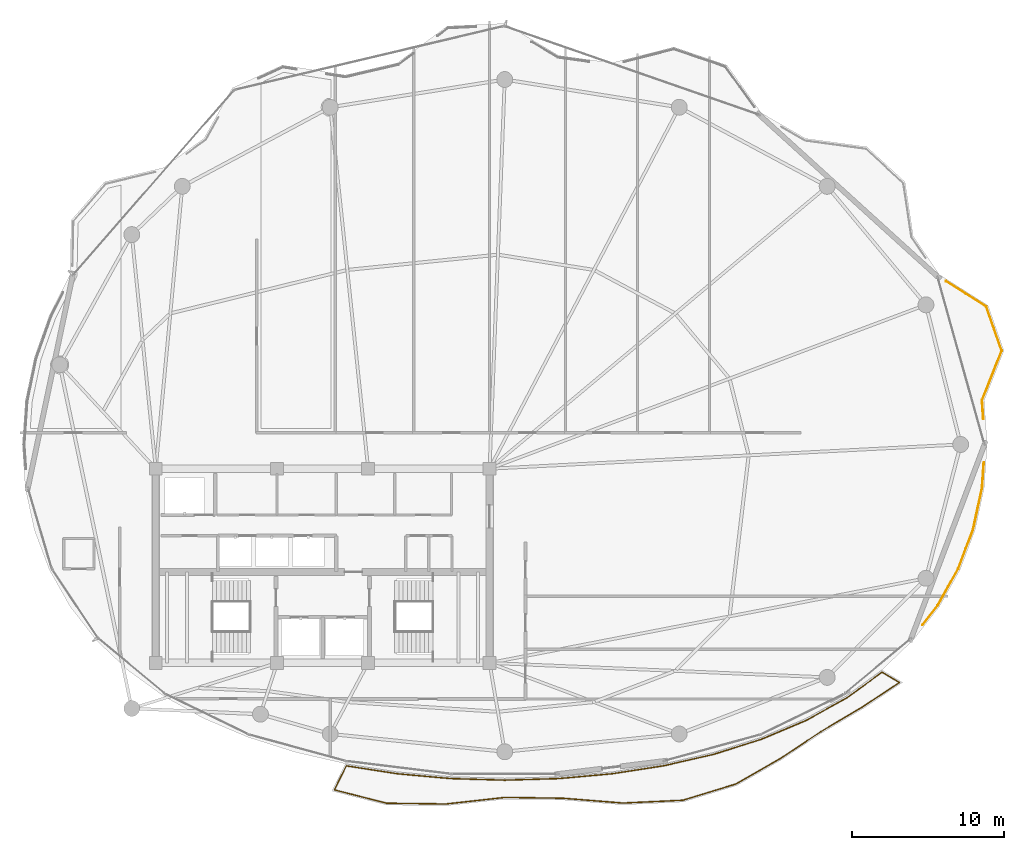
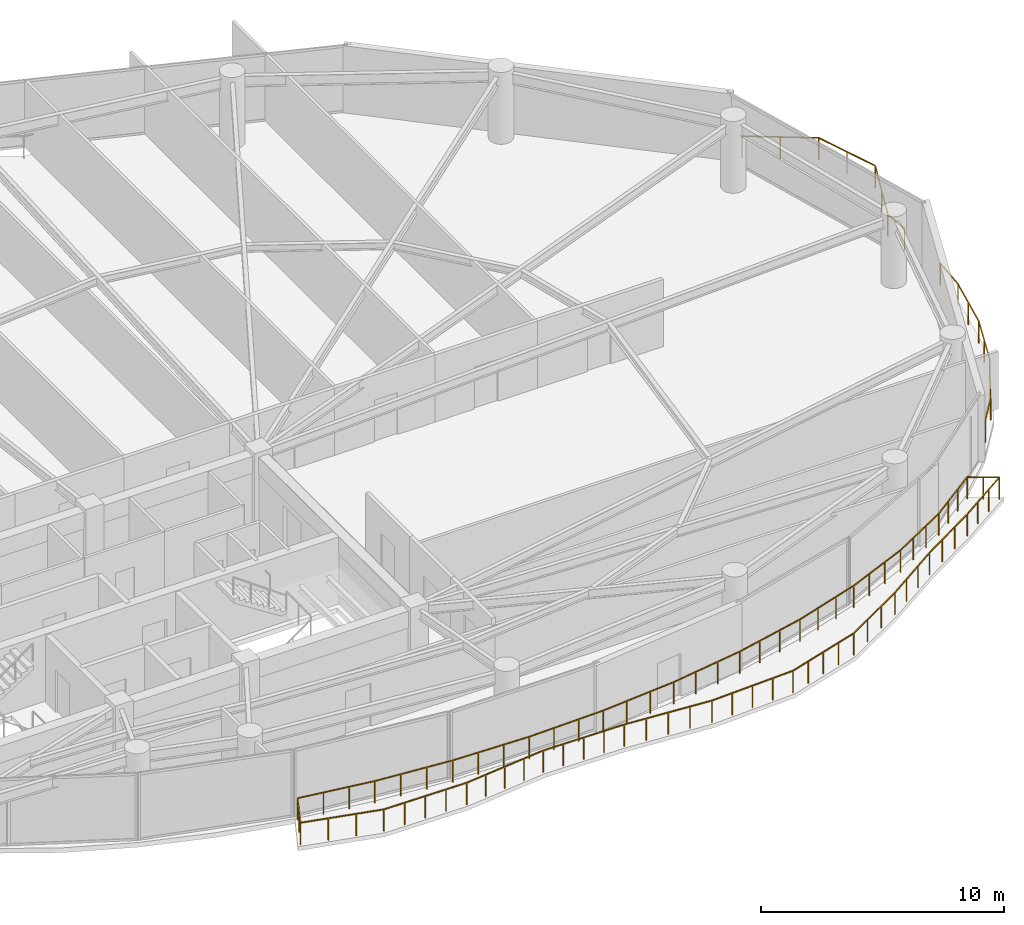
# One storey, part 27 of 28: 3 railings.
"""IFC4 building model written with IfcOpenShell, lengths in metres."""

from ifc_helpers import new_model, si_unit, direction, frame, origin, origin_2d, place, context, subcontext, project, spatial, rectangle, extrude, material, type_object, element, save


model = new_model("IFC4")

# Units and contexts
model_context = context("Model", 3, precision=1e-05, world=origin(), true_north=direction((0.0, 1.0)))
body_context = subcontext(model_context, "Body", "Model", "MODEL_VIEW")
ifc_project = project(units=[si_unit("LENGTHUNIT", "METRE"), si_unit("AREAUNIT", "SQUARE_METRE"), si_unit("VOLUMEUNIT", "CUBIC_METRE"), si_unit("PLANEANGLEUNIT", "RADIAN"), si_unit("MASSUNIT", "GRAM", prefix="KILO")], contexts=[model_context])

# Site, building, storey
site_placement = place(None, origin())
site = spatial("IfcSite", under=ifc_project, at=site_placement, CompositionType="ELEMENT")
building_placement = place(site_placement, origin())
building = spatial("IfcBuilding", under=site, at=building_placement, Name="Kazevale Care Tower and Concert Hall", CompositionType="ELEMENT")
storey_placement = place(building_placement, frame((0.0, 0.0, 231.60009765625)))
storey = spatial("IfcBuildingStorey", under=building, at=storey_placement, Name="L61", CompositionType="ELEMENT", Elevation=231.60009765625)

# Railings
ifc_material = material(Name="Anodised Bronze Aluminium and Laminated Glass", Category="aluminium")
railing_type = type_object("IfcRailingType", Name="Balcony and Terrace Balustrade 1120", PredefinedType="BALUSTRADE", material=ifc_material)
railing_1_placement = place(storey_placement, frame((76.576904296875, 36.81103515625, 0.0)))
element("IfcRailing", 1, at=railing_1_placement, inside=storey, type_object=railing_type, Name="rail:L61:perim:10", PredefinedType="BALUSTRADE", context=body_context, shape_type="SweptSolid", body=[
    extrude(rectangle(XDim=0.048095703125, YDim=0.048095703125, at=origin_2d()), frame((0.0, 0.0, 1.09619140625), z_axis=(-0.069683140934, -0.997569175481, 0.0), x_axis=(0.997569175481, -0.069683140934, 0.0)), (0.0, 0.0, 1.0), 1.664306640625),
    extrude(rectangle(XDim=0.048095703125, YDim=0.048095703125, at=origin_2d()), frame((-0.115966796875, -1.66015625, 1.09619140625), z_axis=(-0.210886672564, -0.97751051725, 0.0), x_axis=(0.97751051725, -0.210886672564, 0.0)), (0.0, 0.0, 1.0), 2.81201171875),
    extrude(rectangle(XDim=0.048095703125, YDim=0.048095703125, at=origin_2d()), frame((-0.708984375, -4.408935546875, 1.09619140625), z_axis=(-0.352914941795, -0.935655408715, 0.0), x_axis=(0.935655408715, -0.352914941795, 0.0)), (0.0, 0.0, 1.0), 2.77685546875),
    extrude(rectangle(XDim=0.048095703125, YDim=0.048095703125, at=origin_2d()), frame((-1.68896484375, -7.007080078125, 1.09619140625), z_axis=(-0.490131162051, -0.871648692987, 0.0), x_axis=(0.871648692987, -0.490131162051, 0.0)), (0.0, 0.0, 1.0), 2.762451171875),
    extrude(rectangle(XDim=0.048095703125, YDim=0.048095703125, at=origin_2d()), frame((-3.04296875, -9.4150390625, 1.09619140625), z_axis=(-0.615507243123, -0.788131228707, 0.0), x_axis=(0.788131228707, -0.615507243123, 0.0)), (0.0, 0.0, 1.0), 1.6279296875),
    extrude(rectangle(XDim=0.0419921875, YDim=0.0419921875, at=origin_2d()), origin(), (0.0, 0.0, 1.0), 1.072021484375),
    extrude(rectangle(XDim=0.0419921875, YDim=0.0419921875, at=origin_2d()), frame((-0.115966796875, -1.66015625, 0.0)), (0.0, 0.0, 1.0), 1.072021484375),
    extrude(rectangle(XDim=0.0419921875, YDim=0.0419921875, at=origin_2d()), frame((-0.41259765625, -3.03466796875, 0.0)), (0.0, 0.0, 1.0), 1.072021484375),
    extrude(rectangle(XDim=0.0419921875, YDim=0.0419921875, at=origin_2d()), frame((-0.708984375, -4.408935546875, 0.0)), (0.0, 0.0, 1.0), 1.072021484375),
    extrude(rectangle(XDim=0.0419921875, YDim=0.0419921875, at=origin_2d()), frame((-1.198974609375, -5.7080078125, 0.0)), (0.0, 0.0, 1.0), 1.072021484375),
    extrude(rectangle(XDim=0.0419921875, YDim=0.0419921875, at=origin_2d()), frame((-1.68896484375, -7.007080078125, 0.0)), (0.0, 0.0, 1.0), 1.072021484375),
    extrude(rectangle(XDim=0.0419921875, YDim=0.0419921875, at=origin_2d()), frame((-2.365966796875, -8.2109375, 0.0)), (0.0, 0.0, 1.0), 1.072021484375),
    extrude(rectangle(XDim=0.0419921875, YDim=0.0419921875, at=origin_2d()), frame((-3.04296875, -9.4150390625, 0.0)), (0.0, 0.0, 1.0), 1.072021484375),
    extrude(rectangle(XDim=0.0419921875, YDim=0.0419921875, at=origin_2d()), frame((-4.044921875, -10.697998046875, 0.0)), (0.0, 0.0, 1.0), 1.072021484375),
])
railing_2_placement = place(storey_placement, frame((74.073974609375, 48.760009765625, 0.0)))
element("IfcRailing", 2, at=railing_2_placement, inside=storey, type_object=railing_type, Name="rail:L61:perim:11", PredefinedType="BALUSTRADE", context=body_context, shape_type="SweptSolid", body=[
    extrude(rectangle(XDim=0.048095703125, YDim=0.048095703125, at=origin_2d()), frame((0.0, 0.0, 1.09619140625), z_axis=(0.845028885188, -0.534720659034, 0.0), x_axis=(0.534720659034, 0.845028885188, 0.0)), (0.0, 0.0, 1.0), 3.155029296875),
    extrude(rectangle(XDim=0.048095703125, YDim=0.048095703125, at=origin_2d()), frame((2.666015625, -1.68701171875, 1.09619140625), z_axis=(0.330541862018, -0.943791331521, 0.0), x_axis=(0.943791331521, 0.330541862018, 0.0)), (0.0, 0.0, 1.0), 3.0673828125),
    extrude(rectangle(XDim=0.048095703125, YDim=0.048095703125, at=origin_2d()), frame((3.679931640625, -4.58203125, 1.09619140625), z_axis=(-0.368706440166, -0.929545889658, 0.0), x_axis=(0.929545889658, -0.368706440166, 0.0)), (0.0, 0.0, 1.0), 3.5146484375),
    extrude(rectangle(XDim=0.048095703125, YDim=0.048095703125, at=origin_2d()), frame((2.384033203125, -7.84912109375, 1.09619140625), z_axis=(0.069088253147, -0.997610551907, 0.0), x_axis=(0.997610551907, 0.069088253147, 0.0)), (0.0, 0.0, 1.0), 1.229736328125),
    extrude(rectangle(XDim=0.0419921875, YDim=0.0419921875, at=origin_2d()), origin(), (0.0, 0.0, 1.0), 1.072021484375),
    extrude(rectangle(XDim=0.0419921875, YDim=0.0419921875, at=origin_2d()), frame((1.3330078125, -0.843505859375, 0.0)), (0.0, 0.0, 1.0), 1.072021484375),
    extrude(rectangle(XDim=0.0419921875, YDim=0.0419921875, at=origin_2d()), frame((2.666015625, -1.68701171875, 0.0)), (0.0, 0.0, 1.0), 1.072021484375),
    extrude(rectangle(XDim=0.0419921875, YDim=0.0419921875, at=origin_2d()), frame((3.1728515625, -3.134521484375, 0.0)), (0.0, 0.0, 1.0), 1.072021484375),
    extrude(rectangle(XDim=0.0419921875, YDim=0.0419921875, at=origin_2d()), frame((3.679931640625, -4.58203125, 0.0)), (0.0, 0.0, 1.0), 1.072021484375),
    extrude(rectangle(XDim=0.0419921875, YDim=0.0419921875, at=origin_2d()), frame((3.031982421875, -6.215576171875, 0.0)), (0.0, 0.0, 1.0), 1.072021484375),
    extrude(rectangle(XDim=0.0419921875, YDim=0.0419921875, at=origin_2d()), frame((2.384033203125, -7.84912109375, 0.0)), (0.0, 0.0, 1.0), 1.072021484375),
    extrude(rectangle(XDim=0.0419921875, YDim=0.0419921875, at=origin_2d()), frame((2.468994140625, -9.075927734375, 0.0)), (0.0, 0.0, 1.0), 1.072021484375),
])
railing_3_placement = place(storey_placement, frame((34.56298828125, 16.819091796875, 0.0)))
element("IfcRailing", 3, at=railing_3_placement, inside=storey, type_object=railing_type, Name="rail:L61:balcony", PredefinedType="BALUSTRADE", context=body_context, shape_type="SweptSolid", body=[
    extrude(rectangle(XDim=0.048095703125, YDim=0.048095703125, at=origin_2d()), frame((0.0, 0.0, 1.09619140625), z_axis=(0.988093340761, -0.15385561395, 0.0), x_axis=(0.15385561395, 0.988093340761, 0.0)), (0.0, 0.0, 1.0), 3.38623046875),
    extrude(rectangle(XDim=0.048095703125, YDim=0.048095703125, at=origin_2d()), frame((3.345947265625, -0.52099609375, 1.09619140625), z_axis=(0.995947899496, -0.089932093766, 0.0), x_axis=(0.089932093766, 0.995947899496, 0.0)), (0.0, 0.0, 1.0), 3.537353515625),
    extrude(rectangle(XDim=0.048095703125, YDim=0.048095703125, at=origin_2d()), frame((6.868896484375, -0.839111328125, 1.09619140625), z_axis=(0.999567458851, -0.029409100739, 0.0), x_axis=(0.029409100739, 0.999567458851, 0.0)), (0.0, 0.0, 1.0), 3.569580078125),
    extrude(rectangle(XDim=0.048095703125, YDim=0.048095703125, at=origin_2d()), frame((10.43701171875, -0.944091796875, 1.09619140625), z_axis=(0.999567458851, 0.029409100739, 0.0), x_axis=(-0.029409100739, 0.999567458851, 0.0)), (0.0, 0.0, 1.0), 3.569580078125),
    extrude(rectangle(XDim=0.048095703125, YDim=0.048095703125, at=origin_2d()), frame((14.005126953125, -0.839111328125, 1.09619140625), z_axis=(0.995947899496, 0.089932093766, 0.0), x_axis=(-0.089932093766, 0.995947899496, 0.0)), (0.0, 0.0, 1.0), 3.537353515625),
    extrude(rectangle(XDim=0.048095703125, YDim=0.048095703125, at=origin_2d()), frame((17.528076171875, -0.52099609375, 1.09619140625), z_axis=(0.988098216207, 0.153824299539, 0.0), x_axis=(-0.153824299539, 0.988098216207, 0.0)), (0.0, 0.0, 1.0), 3.4775390625),
    extrude(rectangle(XDim=0.048095703125, YDim=0.048095703125, at=origin_2d()), frame((20.964111328125, 0.013916015625, 1.09619140625), z_axis=(0.974534254558, 0.224238682418, 0.0), x_axis=(-0.224238682418, 0.974534254558, 0.0)), (0.0, 0.0, 1.0), 3.389404296875),
    extrude(rectangle(XDim=0.048095703125, YDim=0.048095703125, at=origin_2d()), frame((24.26708984375, 0.77392578125, 1.09619140625), z_axis=(0.953239514235, 0.302215864078, 0.0), x_axis=(-0.302215864078, 0.953239514235, 0.0)), (0.0, 0.0, 1.0), 3.285400390625),
    extrude(rectangle(XDim=0.048095703125, YDim=0.048095703125, at=origin_2d()), frame((27.39892578125, 1.766845703125, 1.09619140625), z_axis=(0.921006567992, 0.389547046858, 0.0), x_axis=(-0.389547046858, 0.921006567992, 0.0)), (0.0, 0.0, 1.0), 3.170654296875),
    extrude(rectangle(XDim=0.048095703125, YDim=0.048095703125, at=origin_2d()), frame((30.319091796875, 3.001953125, 1.09619140625), z_axis=(0.874149737903, 0.485656499724, 0.0), x_axis=(-0.485656499724, 0.874149737903, 0.0)), (0.0, 0.0, 1.0), 3.055419921875),
    extrude(rectangle(XDim=0.048095703125, YDim=0.048095703125, at=origin_2d()), frame((32.989990234375, 4.48583984375, 1.09619140625), z_axis=(0.809111467971, 0.587655198562, 0.0), x_axis=(-0.587655198562, 0.809111467971, 0.0)), (0.0, 0.0, 1.0), 2.867431640625),
    extrude(rectangle(XDim=0.048095703125, YDim=0.048095703125, at=origin_2d()), frame((35.31005859375, 6.1708984375, 1.09619140625), z_axis=(0.85837065212, -0.513030041596, 0.0), x_axis=(0.513030041596, 0.85837065212, 0.0)), (0.0, 0.0, 1.0), 1.323486328125),
    extrude(rectangle(XDim=0.048095703125, YDim=0.048095703125, at=origin_2d()), frame((36.446044921875, 5.491943359375, 1.09619140625), z_axis=(-0.833840377329, -0.552005638682, 0.0), x_axis=(0.552005638682, -0.833840377329, 0.0)), (0.0, 0.0, 1.0), 2.951416015625),
    extrude(rectangle(XDim=0.048095703125, YDim=0.048095703125, at=origin_2d()), frame((33.985107421875, 3.86279296875, 1.09619140625), z_axis=(-0.860284016512, -0.509815075232, 0.0), x_axis=(0.509815075232, -0.860284016512, 0.0)), (0.0, 0.0, 1.0), 3.165283203125),
    extrude(rectangle(XDim=0.048095703125, YDim=0.048095703125, at=origin_2d()), frame((31.261962890625, 2.2490234375, 1.09619140625), z_axis=(-0.833321293744, -0.552788948328, 0.0), x_axis=(0.552788948328, -0.833321293744, 0.0)), (0.0, 0.0, 1.0), 3.18603515625),
    extrude(rectangle(XDim=0.048095703125, YDim=0.048095703125, at=origin_2d()), frame((28.60693359375, 0.48779296875, 1.09619140625), z_axis=(-0.867230531376, -0.497906824063, 0.0), x_axis=(0.497906824063, -0.867230531376, 0.0)), (0.0, 0.0, 1.0), 3.3740234375),
    extrude(rectangle(XDim=0.048095703125, YDim=0.048095703125, at=origin_2d()), frame((25.680908203125, -1.192138671875, 1.09619140625), z_axis=(-0.955901401559, -0.293687777236, 0.0), x_axis=(0.293687777236, -0.955901401559, 0.0)), (0.0, 0.0, 1.0), 3.66357421875),
    extrude(rectangle(XDim=0.048095703125, YDim=0.048095703125, at=origin_2d()), frame((22.178955078125, -2.26806640625, 1.09619140625), z_axis=(-0.998916351965, -0.046541613383, 0.0), x_axis=(0.046541613383, -0.998916351965, 0.0)), (0.0, 0.0, 1.0), 3.955322265625),
    extrude(rectangle(XDim=0.048095703125, YDim=0.048095703125, at=origin_2d()), frame((18.22802734375, -2.4521484375, 1.09619140625), z_axis=(-0.996831030971, 0.079548071583, 0.0), x_axis=(-0.079548071583, -0.996831030971, 0.0)), (0.0, 0.0, 1.0), 3.98681640625),
    extrude(rectangle(XDim=0.048095703125, YDim=0.048095703125, at=origin_2d()), frame((14.25390625, -2.135009765625, 1.09619140625), z_axis=(-0.999903993889, 0.013856514891, 0.0), x_axis=(-0.013856514891, -0.999903993889, 0.0)), (0.0, 0.0, 1.0), 3.823486328125),
    extrude(rectangle(XDim=0.048095703125, YDim=0.048095703125, at=origin_2d()), frame((10.430908203125, -2.08203125, 1.09619140625), z_axis=(-0.99386002603, -0.110644695579, 0.0), x_axis=(0.110644695579, -0.99386002603, 0.0)), (0.0, 0.0, 1.0), 3.896728515625),
    extrude(rectangle(XDim=0.048095703125, YDim=0.048095703125, at=origin_2d()), frame((6.55810546875, -2.51318359375, 1.09619140625), z_axis=(-0.999920774707, 0.012587466382, 0.0), x_axis=(-0.012587466382, -0.999920774707, 0.0)), (0.0, 0.0, 1.0), 3.8984375),
    extrude(rectangle(XDim=0.048095703125, YDim=0.048095703125, at=origin_2d()), frame((2.659912109375, -2.464111328125, 1.09619140625), z_axis=(-0.968751374704, 0.24803381626, 0.0), x_axis=(-0.24803381626, -0.968751374704, 0.0)), (0.0, 0.0, 1.0), 3.560302734375),
    extrude(rectangle(XDim=0.048095703125, YDim=0.048095703125, at=origin_2d()), frame((-0.7890625, -1.5810546875, 1.09619140625), z_axis=(0.446550279081, 0.894758541872, 0.0), x_axis=(-0.894758541872, 0.446550279081, 0.0)), (0.0, 0.0, 1.0), 1.76708984375),
    extrude(rectangle(XDim=0.0419921875, YDim=0.0419921875, at=origin_2d()), origin(), (0.0, 0.0, 1.0), 1.072021484375),
    extrude(rectangle(XDim=0.0419921875, YDim=0.0419921875, at=origin_2d()), frame((1.115234375, -0.173583984375, 0.0)), (0.0, 0.0, 1.0), 1.072021484375),
    extrude(rectangle(XDim=0.0419921875, YDim=0.0419921875, at=origin_2d()), frame((2.230712890625, -0.347412109375, 0.0)), (0.0, 0.0, 1.0), 1.072021484375),
    extrude(rectangle(XDim=0.0419921875, YDim=0.0419921875, at=origin_2d()), frame((3.345947265625, -0.52099609375, 0.0)), (0.0, 0.0, 1.0), 1.072021484375),
    extrude(rectangle(XDim=0.0419921875, YDim=0.0419921875, at=origin_2d()), frame((4.520263671875, -0.626953125, 0.0)), (0.0, 0.0, 1.0), 1.072021484375),
    extrude(rectangle(XDim=0.0419921875, YDim=0.0419921875, at=origin_2d()), frame((5.694580078125, -0.733154296875, 0.0)), (0.0, 0.0, 1.0), 1.072021484375),
    extrude(rectangle(XDim=0.0419921875, YDim=0.0419921875, at=origin_2d()), frame((6.868896484375, -0.839111328125, 0.0)), (0.0, 0.0, 1.0), 1.072021484375),
    extrude(rectangle(XDim=0.0419921875, YDim=0.0419921875, at=origin_2d()), frame((8.058349609375, -0.8740234375, 0.0)), (0.0, 0.0, 1.0), 1.072021484375),
    extrude(rectangle(XDim=0.0419921875, YDim=0.0419921875, at=origin_2d()), frame((9.24755859375, -0.9091796875, 0.0)), (0.0, 0.0, 1.0), 1.072021484375),
    extrude(rectangle(XDim=0.0419921875, YDim=0.0419921875, at=origin_2d()), frame((10.43701171875, -0.944091796875, 0.0)), (0.0, 0.0, 1.0), 1.072021484375),
    extrude(rectangle(XDim=0.0419921875, YDim=0.0419921875, at=origin_2d()), frame((11.62646484375, -0.9091796875, 0.0)), (0.0, 0.0, 1.0), 1.072021484375),
    extrude(rectangle(XDim=0.0419921875, YDim=0.0419921875, at=origin_2d()), frame((12.815673828125, -0.8740234375, 0.0)), (0.0, 0.0, 1.0), 1.072021484375),
    extrude(rectangle(XDim=0.0419921875, YDim=0.0419921875, at=origin_2d()), frame((14.005126953125, -0.839111328125, 0.0)), (0.0, 0.0, 1.0), 1.072021484375),
    extrude(rectangle(XDim=0.0419921875, YDim=0.0419921875, at=origin_2d()), frame((15.179443359375, -0.733154296875, 0.0)), (0.0, 0.0, 1.0), 1.072021484375),
    extrude(rectangle(XDim=0.0419921875, YDim=0.0419921875, at=origin_2d()), frame((16.353759765625, -0.626953125, 0.0)), (0.0, 0.0, 1.0), 1.072021484375),
    extrude(rectangle(XDim=0.0419921875, YDim=0.0419921875, at=origin_2d()), frame((17.528076171875, -0.52099609375, 0.0)), (0.0, 0.0, 1.0), 1.072021484375),
    extrude(rectangle(XDim=0.0419921875, YDim=0.0419921875, at=origin_2d()), frame((18.67333984375, -0.3427734375, 0.0)), (0.0, 0.0, 1.0), 1.072021484375),
    extrude(rectangle(XDim=0.0419921875, YDim=0.0419921875, at=origin_2d()), frame((19.81884765625, -0.164306640625, 0.0)), (0.0, 0.0, 1.0), 1.072021484375),
    extrude(rectangle(XDim=0.0419921875, YDim=0.0419921875, at=origin_2d()), frame((20.964111328125, 0.013916015625, 0.0)), (0.0, 0.0, 1.0), 1.072021484375),
    extrude(rectangle(XDim=0.0419921875, YDim=0.0419921875, at=origin_2d()), frame((22.065185546875, 0.267333984375, 0.0)), (0.0, 0.0, 1.0), 1.072021484375),
    extrude(rectangle(XDim=0.0419921875, YDim=0.0419921875, at=origin_2d()), frame((23.166015625, 0.5205078125, 0.0)), (0.0, 0.0, 1.0), 1.072021484375),
    extrude(rectangle(XDim=0.0419921875, YDim=0.0419921875, at=origin_2d()), frame((24.26708984375, 0.77392578125, 0.0)), (0.0, 0.0, 1.0), 1.072021484375),
    extrude(rectangle(XDim=0.0419921875, YDim=0.0419921875, at=origin_2d()), frame((25.31103515625, 1.10498046875, 0.0)), (0.0, 0.0, 1.0), 1.072021484375),
    extrude(rectangle(XDim=0.0419921875, YDim=0.0419921875, at=origin_2d()), frame((26.35498046875, 1.435791015625, 0.0)), (0.0, 0.0, 1.0), 1.072021484375),
    extrude(rectangle(XDim=0.0419921875, YDim=0.0419921875, at=origin_2d()), frame((27.39892578125, 1.766845703125, 0.0)), (0.0, 0.0, 1.0), 1.072021484375),
    extrude(rectangle(XDim=0.0419921875, YDim=0.0419921875, at=origin_2d()), frame((28.372314453125, 2.178466796875, 0.0)), (0.0, 0.0, 1.0), 1.072021484375),
    extrude(rectangle(XDim=0.0419921875, YDim=0.0419921875, at=origin_2d()), frame((29.345703125, 2.59033203125, 0.0)), (0.0, 0.0, 1.0), 1.072021484375),
    extrude(rectangle(XDim=0.0419921875, YDim=0.0419921875, at=origin_2d()), frame((30.319091796875, 3.001953125, 0.0)), (0.0, 0.0, 1.0), 1.072021484375),
    extrude(rectangle(XDim=0.0419921875, YDim=0.0419921875, at=origin_2d()), frame((31.20947265625, 3.49658203125, 0.0)), (0.0, 0.0, 1.0), 1.072021484375),
    extrude(rectangle(XDim=0.0419921875, YDim=0.0419921875, at=origin_2d()), frame((32.099609375, 3.9912109375, 0.0)), (0.0, 0.0, 1.0), 1.072021484375),
    extrude(rectangle(XDim=0.0419921875, YDim=0.0419921875, at=origin_2d()), frame((32.989990234375, 4.48583984375, 0.0)), (0.0, 0.0, 1.0), 1.072021484375),
    extrude(rectangle(XDim=0.0419921875, YDim=0.0419921875, at=origin_2d()), frame((33.763427734375, 5.047607421875, 0.0)), (0.0, 0.0, 1.0), 1.072021484375),
    extrude(rectangle(XDim=0.0419921875, YDim=0.0419921875, at=origin_2d()), frame((34.53662109375, 5.609130859375, 0.0)), (0.0, 0.0, 1.0), 1.072021484375),
    extrude(rectangle(XDim=0.0419921875, YDim=0.0419921875, at=origin_2d()), frame((35.31005859375, 6.1708984375, 0.0)), (0.0, 0.0, 1.0), 1.072021484375),
    extrude(rectangle(XDim=0.0419921875, YDim=0.0419921875, at=origin_2d()), frame((35.8779296875, 5.83154296875, 0.0)), (0.0, 0.0, 1.0), 1.072021484375),
    extrude(rectangle(XDim=0.0419921875, YDim=0.0419921875, at=origin_2d()), frame((36.446044921875, 5.491943359375, 0.0)), (0.0, 0.0, 1.0), 1.072021484375),
    extrude(rectangle(XDim=0.0419921875, YDim=0.0419921875, at=origin_2d()), frame((35.625732421875, 4.948974609375, 0.0)), (0.0, 0.0, 1.0), 1.072021484375),
    extrude(rectangle(XDim=0.0419921875, YDim=0.0419921875, at=origin_2d()), frame((34.805419921875, 4.40576171875, 0.0)), (0.0, 0.0, 1.0), 1.072021484375),
    extrude(rectangle(XDim=0.0419921875, YDim=0.0419921875, at=origin_2d()), frame((33.985107421875, 3.86279296875, 0.0)), (0.0, 0.0, 1.0), 1.072021484375),
    extrude(rectangle(XDim=0.0419921875, YDim=0.0419921875, at=origin_2d()), frame((33.077392578125, 3.324951171875, 0.0)), (0.0, 0.0, 1.0), 1.072021484375),
    extrude(rectangle(XDim=0.0419921875, YDim=0.0419921875, at=origin_2d()), frame((32.169677734375, 2.786865234375, 0.0)), (0.0, 0.0, 1.0), 1.072021484375),
    extrude(rectangle(XDim=0.0419921875, YDim=0.0419921875, at=origin_2d()), frame((31.261962890625, 2.2490234375, 0.0)), (0.0, 0.0, 1.0), 1.072021484375),
    extrude(rectangle(XDim=0.0419921875, YDim=0.0419921875, at=origin_2d()), frame((30.376953125, 1.661865234375, 0.0)), (0.0, 0.0, 1.0), 1.072021484375),
    extrude(rectangle(XDim=0.0419921875, YDim=0.0419921875, at=origin_2d()), frame((29.491943359375, 1.074951171875, 0.0)), (0.0, 0.0, 1.0), 1.072021484375),
    extrude(rectangle(XDim=0.0419921875, YDim=0.0419921875, at=origin_2d()), frame((28.60693359375, 0.48779296875, 0.0)), (0.0, 0.0, 1.0), 1.072021484375),
    extrude(rectangle(XDim=0.0419921875, YDim=0.0419921875, at=origin_2d()), frame((27.631591796875, -0.072265625, 0.0)), (0.0, 0.0, 1.0), 1.072021484375),
    extrude(rectangle(XDim=0.0419921875, YDim=0.0419921875, at=origin_2d()), frame((26.65625, -0.632080078125, 0.0)), (0.0, 0.0, 1.0), 1.072021484375),
    extrude(rectangle(XDim=0.0419921875, YDim=0.0419921875, at=origin_2d()), frame((25.680908203125, -1.192138671875, 0.0)), (0.0, 0.0, 1.0), 1.072021484375),
    extrude(rectangle(XDim=0.0419921875, YDim=0.0419921875, at=origin_2d()), frame((24.805419921875, -1.461181640625, 0.0)), (0.0, 0.0, 1.0), 1.072021484375),
    extrude(rectangle(XDim=0.0419921875, YDim=0.0419921875, at=origin_2d()), frame((23.929931640625, -1.72998046875, 0.0)), (0.0, 0.0, 1.0), 1.072021484375),
    extrude(rectangle(XDim=0.0419921875, YDim=0.0419921875, at=origin_2d()), frame((23.054443359375, -1.9990234375, 0.0)), (0.0, 0.0, 1.0), 1.072021484375),
    extrude(rectangle(XDim=0.0419921875, YDim=0.0419921875, at=origin_2d()), frame((22.178955078125, -2.26806640625, 0.0)), (0.0, 0.0, 1.0), 1.072021484375),
    extrude(rectangle(XDim=0.0419921875, YDim=0.0419921875, at=origin_2d()), frame((21.191162109375, -2.31396484375, 0.0)), (0.0, 0.0, 1.0), 1.072021484375),
    extrude(rectangle(XDim=0.0419921875, YDim=0.0419921875, at=origin_2d()), frame((20.20361328125, -2.360107421875, 0.0)), (0.0, 0.0, 1.0), 1.072021484375),
    extrude(rectangle(XDim=0.0419921875, YDim=0.0419921875, at=origin_2d()), frame((19.2158203125, -2.40625, 0.0)), (0.0, 0.0, 1.0), 1.072021484375),
    extrude(rectangle(XDim=0.0419921875, YDim=0.0419921875, at=origin_2d()), frame((18.22802734375, -2.4521484375, 0.0)), (0.0, 0.0, 1.0), 1.072021484375),
    extrude(rectangle(XDim=0.0419921875, YDim=0.0419921875, at=origin_2d()), frame((17.234375, -2.372802734375, 0.0)), (0.0, 0.0, 1.0), 1.072021484375),
    extrude(rectangle(XDim=0.0419921875, YDim=0.0419921875, at=origin_2d()), frame((16.240966796875, -2.29345703125, 0.0)), (0.0, 0.0, 1.0), 1.072021484375),
    extrude(rectangle(XDim=0.0419921875, YDim=0.0419921875, at=origin_2d()), frame((15.24755859375, -2.21435546875, 0.0)), (0.0, 0.0, 1.0), 1.072021484375),
    extrude(rectangle(XDim=0.0419921875, YDim=0.0419921875, at=origin_2d()), frame((14.25390625, -2.135009765625, 0.0)), (0.0, 0.0, 1.0), 1.072021484375),
    extrude(rectangle(XDim=0.0419921875, YDim=0.0419921875, at=origin_2d()), frame((13.298095703125, -2.121826171875, 0.0)), (0.0, 0.0, 1.0), 1.072021484375),
    extrude(rectangle(XDim=0.0419921875, YDim=0.0419921875, at=origin_2d()), frame((12.34228515625, -2.1083984375, 0.0)), (0.0, 0.0, 1.0), 1.072021484375),
    extrude(rectangle(XDim=0.0419921875, YDim=0.0419921875, at=origin_2d()), frame((11.38671875, -2.09521484375, 0.0)), (0.0, 0.0, 1.0), 1.072021484375),
    extrude(rectangle(XDim=0.0419921875, YDim=0.0419921875, at=origin_2d()), frame((10.430908203125, -2.08203125, 0.0)), (0.0, 0.0, 1.0), 1.072021484375),
    extrude(rectangle(XDim=0.0419921875, YDim=0.0419921875, at=origin_2d()), frame((9.462646484375, -2.18994140625, 0.0)), (0.0, 0.0, 1.0), 1.072021484375),
    extrude(rectangle(XDim=0.0419921875, YDim=0.0419921875, at=origin_2d()), frame((8.49462890625, -2.297607421875, 0.0)), (0.0, 0.0, 1.0), 1.072021484375),
    extrude(rectangle(XDim=0.0419921875, YDim=0.0419921875, at=origin_2d()), frame((7.5263671875, -2.4052734375, 0.0)), (0.0, 0.0, 1.0), 1.072021484375),
    extrude(rectangle(XDim=0.0419921875, YDim=0.0419921875, at=origin_2d()), frame((6.55810546875, -2.51318359375, 0.0)), (0.0, 0.0, 1.0), 1.072021484375),
    extrude(rectangle(XDim=0.0419921875, YDim=0.0419921875, at=origin_2d()), frame((5.58349609375, -2.5009765625, 0.0)), (0.0, 0.0, 1.0), 1.072021484375),
    extrude(rectangle(XDim=0.0419921875, YDim=0.0419921875, at=origin_2d()), frame((4.60888671875, -2.48876953125, 0.0)), (0.0, 0.0, 1.0), 1.072021484375),
    extrude(rectangle(XDim=0.0419921875, YDim=0.0419921875, at=origin_2d()), frame((3.634521484375, -2.476318359375, 0.0)), (0.0, 0.0, 1.0), 1.072021484375),
    extrude(rectangle(XDim=0.0419921875, YDim=0.0419921875, at=origin_2d()), frame((2.659912109375, -2.464111328125, 0.0)), (0.0, 0.0, 1.0), 1.072021484375),
    extrude(rectangle(XDim=0.0419921875, YDim=0.0419921875, at=origin_2d()), frame((1.51025390625, -2.169677734375, 0.0)), (0.0, 0.0, 1.0), 1.072021484375),
    extrude(rectangle(XDim=0.0419921875, YDim=0.0419921875, at=origin_2d()), frame((0.360595703125, -1.87548828125, 0.0)), (0.0, 0.0, 1.0), 1.072021484375),
    extrude(rectangle(XDim=0.0419921875, YDim=0.0419921875, at=origin_2d()), frame((-0.7890625, -1.5810546875, 0.0)), (0.0, 0.0, 1.0), 1.072021484375),
    extrude(rectangle(XDim=0.0419921875, YDim=0.0419921875, at=origin_2d()), frame((-0.39453125, -0.79052734375, 0.0)), (0.0, 0.0, 1.0), 1.072021484375),
])

save(model, "model.ifc")
